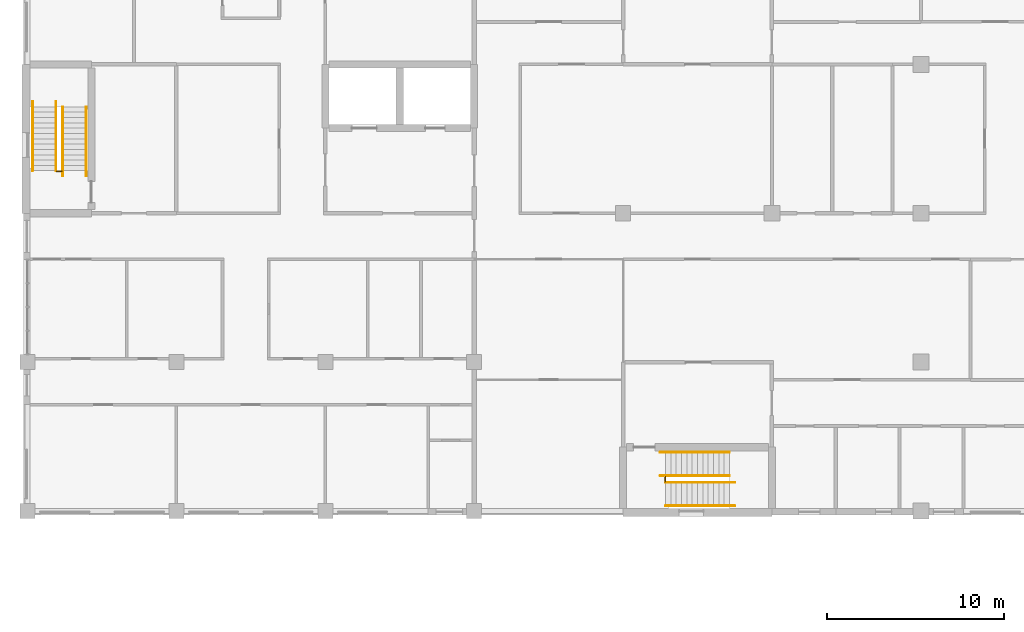
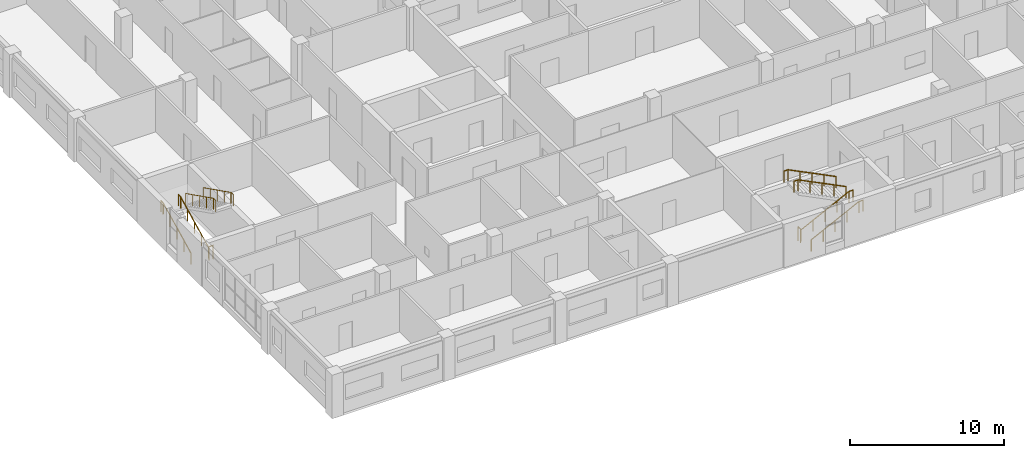
# One storey, part 84 of 94: 10 railings.
"""IFC4 building model written with IfcOpenShell, lengths in metres."""

from ifc_helpers import new_model, si_unit, direction, frame, origin, origin_2d, place, context, subcontext, project, spatial, circle, extrude, material, type_object, element, save


model = new_model("IFC4")

# Units and contexts
model_context = context("Model", 3, precision=1e-05, world=origin(), true_north=direction((0.0, 1.0)))
body_context = subcontext(model_context, "Body", "Model", "MODEL_VIEW")
ifc_project = project(units=[si_unit("LENGTHUNIT", "METRE"), si_unit("AREAUNIT", "SQUARE_METRE"), si_unit("VOLUMEUNIT", "CUBIC_METRE"), si_unit("PLANEANGLEUNIT", "RADIAN"), si_unit("MASSUNIT", "GRAM", prefix="KILO")], contexts=[model_context])

# Site, building, storey
site_placement = place(None, origin())
site = spatial("IfcSite", under=ifc_project, at=site_placement, CompositionType="ELEMENT")
building_placement = place(site_placement, origin())
building = spatial("IfcBuilding", under=site, at=building_placement, Name="Yavir Park General Hospital", CompositionType="ELEMENT")
storey_placement = place(building_placement, frame((0.0, 0.0, 4.5)))
storey = spatial("IfcBuildingStorey", under=building, at=storey_placement, Name="L01", CompositionType="ELEMENT", Elevation=4.5)

# Railings
ifc_material_1 = material(Name="Steel balustrade with infill rods", Category="steel")
railing_type_1 = type_object("IfcRailingType", Name="Stair guard, steel balustrade 1100 mm", PredefinedType="GUARDRAIL", material=ifc_material_1)
railing_1_placement = place(storey_placement, frame((1.64990234375, 19.169921875, 0.0)))
element("IfcRailing", 1, at=railing_1_placement, inside=storey, type_object=railing_type_1, Name="Stair well guard SU1 L01", PredefinedType="GUARDRAIL", context=body_context, shape_type="SweptSolid", body=[
    extrude(circle(Radius=0.02392578125, at=origin_2d()), frame((0.0, 0.0, 1.076171875), z_axis=(1.0, 0.0, 0.0), x_axis=(0.0, 1.0, 0.0)), (0.0, 0.0, 1.0), 0.300048828125),
    extrude(circle(Radius=0.02099609375, at=origin_2d()), origin(), (0.0, 0.0, 1.0), 1.052001953125),
    extrude(circle(Radius=0.02099609375, at=origin_2d()), frame((0.300048828125, 0.0, 0.0)), (0.0, 0.0, 1.0), 1.052001953125),
])
railing_2_placement = place(storey_placement, frame((35.969970703125, 1.64990234375, 0.0)))
element("IfcRailing", 2, at=railing_2_placement, inside=storey, type_object=railing_type_1, Name="Stair well guard SU2 L01", PredefinedType="GUARDRAIL", context=body_context, shape_type="SweptSolid", body=[
    extrude(circle(Radius=0.02392578125, at=origin_2d()), frame((0.0, 0.0, 1.076171875), z_axis=(0.0, 1.0, 0.0), x_axis=(-1.0, 0.0, 0.0)), (0.0, 0.0, 1.0), 0.300048828125),
    extrude(circle(Radius=0.02099609375, at=origin_2d()), origin(), (0.0, 0.0, 1.0), 1.052001953125),
    extrude(circle(Radius=0.02099609375, at=origin_2d()), frame((0.0, 0.300048828125, 0.0)), (0.0, 0.0, 1.0), 1.052001953125),
])
ifc_material_2 = material(Name="Stainless steel tube 48 mm", Category="steel")
railing_type_2 = type_object("IfcRailingType", Name="Stair handrail, steel tube, 900 mm above the nosings", PredefinedType="HANDRAIL", material=ifc_material_2)
for number, where, name in (
    (3, (0.2900390625, 19.199951171875, 0.14990234375), "Handrail SU1 L01 1"),
    (4, (1.610107421875, 19.199951171875, 0.14990234375), "Handrail SU1 L01 2"),
):
    element("IfcRailing", number, at=place(storey_placement, frame(where)), inside=storey, type_object=railing_type_2, Name=name, PredefinedType="HANDRAIL", context=body_context, shape_type="SweptSolid", body=[
        extrude(circle(Radius=0.02392578125, at=origin_2d()), frame((0.0, 0.0, 0.8759765625), z_axis=(0.0, 0.894427191, 0.4472135955), x_axis=(-1.0, 0.0, 0.0)), (0.0, 0.0, 1.0), 4.025146484375),
        extrude(circle(Radius=0.02392578125, at=origin_2d()), frame((0.0, 3.60009765625, 2.67578125), z_axis=(0.0, 1.0, 0.0), x_axis=(-1.0, 0.0, 0.0)), (0.0, 0.0, 1.0), 0.300048828125),
        extrude(circle(Radius=0.02099609375, at=origin_2d()), origin(), (0.0, 0.0, 1.0), 0.851806640625),
        extrude(circle(Radius=0.02099609375, at=origin_2d()), frame((0.0, 0.89990234375, 0.449951171875)), (0.0, 0.0, 1.0), 0.851806640625),
        extrude(circle(Radius=0.02099609375, at=origin_2d()), frame((0.0, 1.800048828125, 0.89990234375)), (0.0, 0.0, 1.0), 0.851806640625),
        extrude(circle(Radius=0.02099609375, at=origin_2d()), frame((0.0, 2.7001953125, 1.35009765625)), (0.0, 0.0, 1.0), 0.851806640625),
        extrude(circle(Radius=0.02099609375, at=origin_2d()), frame((0.0, 3.60009765625, 1.800048828125)), (0.0, 0.0, 1.0), 0.851806640625),
        extrude(circle(Radius=0.02099609375, at=origin_2d()), frame((0.0, 3.900146484375, 1.800048828125)), (0.0, 0.0, 1.0), 0.851806640625),
    ])
for number, where, name in (
    (5, (3.31005859375, 22.800048828125, 2.10009765625), "Handrail SU1 L01 3"),
    (6, (1.989990234375, 22.800048828125, 2.10009765625), "Handrail SU1 L01 4"),
):
    element("IfcRailing", number, at=place(storey_placement, frame(where)), inside=storey, type_object=railing_type_2, Name=name, PredefinedType="HANDRAIL", context=body_context, shape_type="SweptSolid", body=[
        extrude(circle(Radius=0.02392578125, at=origin_2d()), frame((0.0, 0.0, 0.8759765625), z_axis=(0.0, -0.894451452574, 0.447165069061), x_axis=(1.0, 0.0, 0.0)), (0.0, 0.0, 1.0), 4.02490234375),
        extrude(circle(Radius=0.02392578125, at=origin_2d()), frame((0.0, -3.60009765625, 2.67578125), z_axis=(0.0, -1.0, 0.0), x_axis=(1.0, 0.0, 0.0)), (0.0, 0.0, 1.0), 0.300048828125),
        extrude(circle(Radius=0.02099609375, at=origin_2d()), origin(), (0.0, 0.0, 1.0), 0.851806640625),
        extrude(circle(Radius=0.02099609375, at=origin_2d()), frame((0.0, -0.89990234375, 0.449951171875)), (0.0, 0.0, 1.0), 0.851806640625),
        extrude(circle(Radius=0.02099609375, at=origin_2d()), frame((0.0, -1.800048828125, 0.89990234375)), (0.0, 0.0, 1.0), 0.851806640625),
        extrude(circle(Radius=0.02099609375, at=origin_2d()), frame((0.0, -2.7001953125, 1.349853515625)), (0.0, 0.0, 1.0), 0.851806640625),
        extrude(circle(Radius=0.02099609375, at=origin_2d()), frame((0.0, -3.60009765625, 1.7998046875)), (0.0, 0.0, 1.0), 0.851806640625),
        extrude(circle(Radius=0.02099609375, at=origin_2d()), frame((0.0, -3.900146484375, 1.7998046875)), (0.0, 0.0, 1.0), 0.851806640625),
    ])
for number, where, name in (
    (7, (36.0, 0.2900390625, 0.14990234375), "Handrail SU2 L01 1"),
    (8, (36.0, 1.610107421875, 0.14990234375), "Handrail SU2 L01 2"),
):
    element("IfcRailing", number, at=place(storey_placement, frame(where)), inside=storey, type_object=railing_type_2, Name=name, PredefinedType="HANDRAIL", context=body_context, shape_type="SweptSolid", body=[
        extrude(circle(Radius=0.02392578125, at=origin_2d()), frame((0.0, 0.0, 0.8759765625), z_axis=(0.894427191, 0.0, 0.4472135955), x_axis=(0.0, 1.0, 0.0)), (0.0, 0.0, 1.0), 4.025146484375),
        extrude(circle(Radius=0.02392578125, at=origin_2d()), frame((3.60009765625, 0.0, 2.67578125), z_axis=(1.0, 0.0, 0.0), x_axis=(0.0, 1.0, 0.0)), (0.0, 0.0, 1.0), 0.2998046875),
        extrude(circle(Radius=0.02099609375, at=origin_2d()), origin(), (0.0, 0.0, 1.0), 0.851806640625),
        extrude(circle(Radius=0.02099609375, at=origin_2d()), frame((0.89990234375, 0.0, 0.449951171875)), (0.0, 0.0, 1.0), 0.851806640625),
        extrude(circle(Radius=0.02099609375, at=origin_2d()), frame((1.800048828125, 0.0, 0.89990234375)), (0.0, 0.0, 1.0), 0.851806640625),
        extrude(circle(Radius=0.02099609375, at=origin_2d()), frame((2.7001953125, 0.0, 1.35009765625)), (0.0, 0.0, 1.0), 0.851806640625),
        extrude(circle(Radius=0.02099609375, at=origin_2d()), frame((3.60009765625, 0.0, 1.800048828125)), (0.0, 0.0, 1.0), 0.851806640625),
        extrude(circle(Radius=0.02099609375, at=origin_2d()), frame((3.89990234375, 0.0, 1.800048828125)), (0.0, 0.0, 1.0), 0.851806640625),
    ])
for number, where, name in (
    (9, (39.60009765625, 3.31005859375, 2.10009765625), "Handrail SU2 L01 3"),
    (10, (39.60009765625, 1.989990234375, 2.10009765625), "Handrail SU2 L01 4"),
):
    element("IfcRailing", number, at=place(storey_placement, frame(where)), inside=storey, type_object=railing_type_2, Name=name, PredefinedType="HANDRAIL", context=body_context, shape_type="SweptSolid", body=[
        extrude(circle(Radius=0.02392578125, at=origin_2d()), frame((0.0, 0.0, 0.8759765625), z_axis=(-0.894451452574, 0.0, 0.447165069061), x_axis=(0.0, -1.0, 0.0)), (0.0, 0.0, 1.0), 4.02490234375),
        extrude(circle(Radius=0.02392578125, at=origin_2d()), frame((-3.60009765625, 0.0, 2.67578125), z_axis=(-1.0, 0.0, 0.0), x_axis=(0.0, -1.0, 0.0)), (0.0, 0.0, 1.0), 0.300048828125),
        extrude(circle(Radius=0.02099609375, at=origin_2d()), origin(), (0.0, 0.0, 1.0), 0.851806640625),
        extrude(circle(Radius=0.02099609375, at=origin_2d()), frame((-0.89990234375, 0.0, 0.449951171875)), (0.0, 0.0, 1.0), 0.851806640625),
        extrude(circle(Radius=0.02099609375, at=origin_2d()), frame((-1.800048828125, 0.0, 0.89990234375)), (0.0, 0.0, 1.0), 0.851806640625),
        extrude(circle(Radius=0.02099609375, at=origin_2d()), frame((-2.7001953125, 0.0, 1.349853515625)), (0.0, 0.0, 1.0), 0.851806640625),
        extrude(circle(Radius=0.02099609375, at=origin_2d()), frame((-3.60009765625, 0.0, 1.7998046875)), (0.0, 0.0, 1.0), 0.851806640625),
        extrude(circle(Radius=0.02099609375, at=origin_2d()), frame((-3.900146484375, 0.0, 1.7998046875)), (0.0, 0.0, 1.0), 0.851806640625),
    ])

save(model, "model.ifc")
